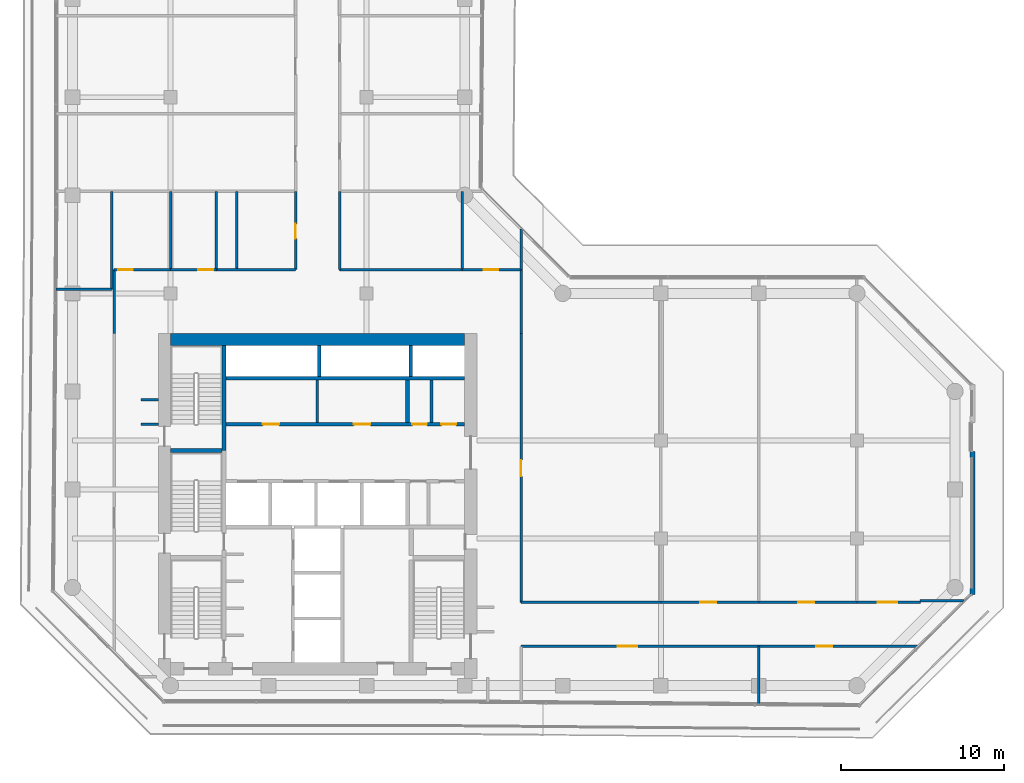
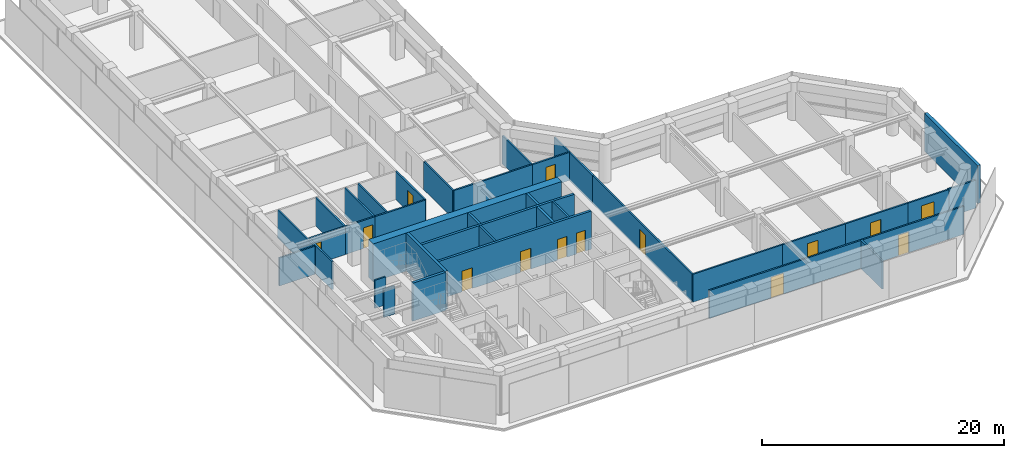
# One storey, part 19 of 23: 38 walls, 14 doors, 14 openings.
"""IFC4 building model written with IfcOpenShell, lengths in metres."""

import ifcopenshell
import ifcopenshell.guid

model = None  # the IFC model being written
_history = None  # IfcOwnerHistory: only IFC2X3 demands one
_inside = {}  # id of a spatial element -> (the spatial element, [elements in it])
_under = {}  # id of a project, library or spatial element -> (it, [spatial elements below it])
_declared = {}  # id of a project -> (the project, [libraries it declares])
_typed = {}  # id of a type object -> (the type object, [elements of that type])
_made_of = {}  # id of a material, layer set ... -> (it, [elements and type objects made of it])


def new_model(schema):
    """Start an empty IFC model of exactly this schema.

    Asked for "IFC4X3", IfcOpenShell would pick the latest addendum, in which some entities
    have other attributes; the version numbers below select the first issue.
    IFC2X3 requires an IfcOwnerHistory on every rooted entity: one is made here for all.
    """
    global model, _history
    if schema == "IFC4X3":
        model = ifcopenshell.file(schema_version=(4, 3, 0, 0))
    else:
        model = ifcopenshell.file(schema=schema)
    _inside.clear()
    _under.clear()
    _declared.clear()
    _typed.clear()
    _made_of.clear()
    _history = None
    if model.schema == "IFC2X3":
        org = make("IfcOrganization", Name="unknown")
        user = make(
            "IfcPersonAndOrganization",
            ThePerson=make("IfcPerson", FamilyName="unknown"),
            TheOrganization=org,
        )
        app = make(
            "IfcApplication",
            ApplicationDeveloper=org,
            Version="unknown",
            ApplicationFullName="unknown",
            ApplicationIdentifier="unknown",
        )
        _history = make(
            "IfcOwnerHistory",
            OwningUser=user,
            OwningApplication=app,
            ChangeAction="ADDED",
            CreationDate=0,
        )
    return model


def make(cls, **values):
    """One entity of the class cls with the attributes given. An attribute that is None is left unset."""
    return model.create_entity(
        cls, **{name: value for name, value in values.items() if value is not None}
    )


def rooted(cls, **values):
    """An entity with a GlobalId (a new one), such as an element, a storey or a relation."""
    return make(cls, GlobalId=ifcopenshell.guid.new(), OwnerHistory=_history, **values)


def si_unit(unit_type, name, prefix=None):
    """IfcSIUnit, for example si_unit("LENGTHUNIT", "METRE", prefix="MILLI")."""
    return make("IfcSIUnit", UnitType=unit_type, Prefix=prefix, Name=name)


def assignment(units):
    """IfcUnitAssignment: the units of a project."""
    return None if units is None else make("IfcUnitAssignment", Units=units)


def point(xyz):
    """IfcCartesianPoint."""
    return None if xyz is None else make("IfcCartesianPoint", Coordinates=xyz)


def direction(xyz):
    """IfcDirection."""
    return None if xyz is None else make("IfcDirection", DirectionRatios=xyz)


def frame(location, z_axis=None, x_axis=None):
    """IfcAxis2Placement3D, a coordinate frame: its origin and axes. An axis left out is left unset."""
    return make(
        "IfcAxis2Placement3D",
        Location=point(location),
        Axis=direction(z_axis),
        RefDirection=direction(x_axis),
    )


def frame_2d(location, x_axis=None):
    """IfcAxis2Placement2D, a coordinate frame in the plane: its origin and x axis."""
    return make(
        "IfcAxis2Placement2D", Location=point(location), RefDirection=direction(x_axis)
    )


def origin():
    """The frame at (0, 0, 0) with its axes left unset."""
    return frame((0.0, 0.0, 0.0))


def place(relative_to, where):
    """IfcLocalPlacement: puts the frame where relative to a parent placement (None: the world)."""
    return make(
        "IfcLocalPlacement", PlacementRelTo=relative_to, RelativePlacement=where
    )


def context(
    kind, dimensions, precision=None, world=None, true_north=None, identifier=None
):
    """IfcGeometricRepresentationContext, for example the 3D "Model" context."""
    return make(
        "IfcGeometricRepresentationContext",
        ContextIdentifier=identifier,
        ContextType=kind,
        CoordinateSpaceDimension=dimensions,
        Precision=precision,
        WorldCoordinateSystem=world,
        TrueNorth=true_north,
    )


def subcontext(parent, identifier, kind, view, scale=None):
    """IfcGeometricRepresentationSubContext, for example "Body" below "Model"."""
    return make(
        "IfcGeometricRepresentationSubContext",
        ContextIdentifier=identifier,
        ContextType=kind,
        ParentContext=parent,
        TargetScale=scale,
        TargetView=view,
    )


def project(units=None, contexts=None):
    """IfcProject with its units and contexts."""
    return rooted(
        "IfcProject",
        Name="project",
        RepresentationContexts=contexts,
        UnitsInContext=assignment(units),
    )


def spatial(cls, under=None, at=None, **own):
    """A site, building, storey or space (cls), placed at a placement, below another one or the project."""
    s = rooted(cls, ObjectPlacement=at, **own)
    if under is not None:
        _under.setdefault(under.id(), (under, []))[1].append(s)
    return s


def profile(cls, at=None, kind="AREA", **sizes):
    """A parametric profile (cls). Its sizes go by their IFC names, for example OverallWidth=200.0."""
    return make(cls, ProfileType=kind, Position=at, **sizes)


def rectangle(**sizes):
    """IfcRectangleProfileDef."""
    return profile("IfcRectangleProfileDef", **sizes)


def extrude(swept, where, along, depth):
    """IfcExtrudedAreaSolid: the profile swept, set in the frame where, extruded along a direction by depth."""
    return make(
        "IfcExtrudedAreaSolid",
        SweptArea=swept,
        Position=where,
        ExtrudedDirection=direction(along),
        Depth=depth,
    )


def shape(context_of_items, identifier, shape_type, items):
    """IfcShapeRepresentation: the items that make up one representation, for example the "Body"."""
    return make(
        "IfcShapeRepresentation",
        ContextOfItems=context_of_items,
        RepresentationIdentifier=identifier,
        RepresentationType=shape_type,
        Items=items,
    )


def material(Name=None, Category=None):
    """IfcMaterial."""
    return make("IfcMaterial", Name=Name, Category=Category)


def layer(
    of_material, thickness, ventilated=None, Name=None, Category=None, Priority=None
):
    """IfcMaterialLayer: one layer of a wall or slab, of a material (None: an air gap)."""
    return make(
        "IfcMaterialLayer",
        Material=of_material,
        LayerThickness=thickness,
        IsVentilated=ventilated,
        Name=Name,
        Category=Category,
        Priority=Priority,
    )


def layer_set(layers, Name=None):
    """IfcMaterialLayerSet."""
    return make("IfcMaterialLayerSet", MaterialLayers=layers, LayerSetName=Name)


def made_of(thing, what):
    """Note that an element or type object is made of a material, layer set ...; save() writes the relation."""
    if what is not None:
        _made_of.setdefault(what.id(), (what, []))[1].append(thing)
    return thing


def type_object(cls, material=None, **own):
    """A type object (cls), such as IfcWallType, which elements share."""
    return made_of(rooted(cls, **own), material)


def element(
    cls,
    number,
    at=None,
    inside=None,
    cuts=None,
    type_object=None,
    material=None,
    context=None,
    identifier="Body",
    shape_type=None,
    held_by="IfcProductDefinitionShape",
    body=None,
    shapes=None,
    **own,
):
    """One element of the class cls, such as IfcWall. Its Tag is "e" and its number.

    at: its placement. inside: the storey or other place that contains it. cuts: it is an
    opening in that element (IfcRelVoidsElement). A single representation is given by context,
    identifier, shape_type and body (its items); several are given by shapes. held_by: the class
    of the entity that holds the representations. save() writes the other relations.
    """
    e = rooted(cls, Tag="e%d" % number, ObjectPlacement=at, **own)
    if body is not None:
        shapes = [shape(context, identifier, shape_type, body)]
    if shapes is not None:
        e.Representation = make(held_by, Representations=shapes)
    if inside is not None:
        _inside.setdefault(inside.id(), (inside, []))[1].append(e)
    if cuts is not None:
        rooted(
            "IfcRelVoidsElement", RelatingBuildingElement=cuts, RelatedOpeningElement=e
        )
    if type_object is not None:
        _typed.setdefault(type_object.id(), (type_object, []))[1].append(e)
    return made_of(e, material)


def fill(opening, filler):
    """IfcRelFillsElement: the door or window that sits in an opening."""
    return rooted(
        "IfcRelFillsElement",
        RelatingOpeningElement=opening,
        RelatedBuildingElement=filler,
    )


def aggregate(whole, parts):
    """IfcRelAggregates: a whole, such as a stair, and the parts it consists of."""
    return rooted("IfcRelAggregates", RelatingObject=whole, RelatedObjects=parts)


def save(model, path):
    """Write the relations noted so far, then the file.

    IfcRelAggregates (storeys below a building ...), IfcRelContainedInSpatialStructure (elements
    in a storey), IfcRelDefinesByType, IfcRelAssociatesMaterial and IfcRelDeclares: one each for
    every whole, place, type object, material and project.
    """
    for whole, parts in _under.values():
        aggregate(whole, parts)
    for where, things in _inside.values():
        rooted(
            "IfcRelContainedInSpatialStructure",
            RelatedElements=things,
            RelatingStructure=where,
        )
    for kind, things in _typed.values():
        rooted("IfcRelDefinesByType", RelatedObjects=things, RelatingType=kind)
    for what, things in _made_of.values():
        rooted("IfcRelAssociatesMaterial", RelatedObjects=things, RelatingMaterial=what)
    for by, libraries in _declared.values():
        rooted("IfcRelDeclares", RelatingContext=by, RelatedDefinitions=libraries)
    model.write(path)


model = new_model("IFC4")

# Units and contexts
model_context = context("Model", 3, precision=1e-05, world=origin(), true_north=direction((0.0, 1.0)))
body_context = subcontext(model_context, "Body", "Model", "MODEL_VIEW")
ifc_project = project(units=[si_unit("LENGTHUNIT", "METRE"), si_unit("AREAUNIT", "SQUARE_METRE"), si_unit("VOLUMEUNIT", "CUBIC_METRE"), si_unit("PLANEANGLEUNIT", "RADIAN"), si_unit("MASSUNIT", "GRAM", prefix="KILO")], contexts=[model_context])

# Site, building, storey
site_placement = place(None, origin())
site = spatial("IfcSite", under=ifc_project, at=site_placement, CompositionType="ELEMENT")
building_placement = place(site_placement, origin())
building = spatial("IfcBuilding", under=site, at=building_placement, Name="Welwitschia Terrace Campus", CompositionType="ELEMENT")
storey_placement = place(building_placement, frame((0.0, 0.0, 113.0)))
storey = spatial("IfcBuildingStorey", under=building, at=storey_placement, Name="L25", CompositionType="ELEMENT", Elevation=113.0)

# Walls
ifc_material_1 = material(Name="Concrete C32/40", Category="concrete")
ifc_layer_1 = layer(ifc_material_1, 0.175048828125)
ifc_layer_set_1 = layer_set([ifc_layer_1], Name="Concrete C32/40")
wall_type_1 = type_object("IfcWallType", Name="Core partition 175 Concrete C32/40", PredefinedType="PARTITIONING", material=ifc_layer_set_1)
for number, where, z_axis, x_axis, name in (
    (1, (14.97509765625, 20.10009765625, 0.0), (0.0, 0.0, 1.0), (0.0, 1.0, 0.0), "Core partition"),
    (2, (21.9599609375, 20.10009765625, 0.0), (0.0, 0.0, 1.0), (0.0, 1.0, 0.0), "Core partition"),
):
    element("IfcWall", number, at=place(storey_placement, frame(where, z_axis=z_axis, x_axis=x_axis)), inside=storey, type_object=wall_type_1, Name=name, PredefinedType="PARTITIONING", context=body_context, shape_type="SweptSolid", body=[
        extrude(rectangle(XDim=2.599853515625, YDim=0.175048828125, at=frame_2d((1.2998046875, 0.0))), origin(), (0.0, 0.0, 1.0), 3.85009765625),
    ])

# Wall, openings, doors
ifc_material_2 = material(Name="Concrete C32/40", Category="concrete")
ifc_layer_2 = layer(ifc_material_2, 0.22509765625)
ifc_layer_set_2 = layer_set([ifc_layer_2], Name="Concrete C32/40")
wall_type_2 = type_object("IfcWallType", Name="Core partition 225 Concrete C32/40", PredefinedType="PARTITIONING", material=ifc_layer_set_2)
wall_1_placement = place(storey_placement, frame((24.0, 20.0, 0.0), z_axis=(0.0, 0.0, 1.0), x_axis=(-1.0, 0.0, 0.0)))
wall_1 = element("IfcWall", 3, at=wall_1_placement, inside=storey, type_object=wall_type_2, Name="Core partition", PredefinedType="PARTITIONING", context=body_context, shape_type="SweptSolid", body=[
    extrude(rectangle(XDim=14.60009765625, YDim=0.22509765625, at=frame_2d((7.300048828125, 0.0))), origin(), (0.0, 0.0, 1.0), 3.85009765625),
])
opening_1_placement = place(wall_1_placement, frame((11.35009765625, 0.0, 0.0)))
opening_1 = element("IfcOpeningElement", 4, at=opening_1_placement, cuts=wall_1, Name="Opening DR10", PredefinedType="OPENING", context=body_context, shape_type="SweptSolid", body=[
    extrude(rectangle(XDim=1.0, YDim=2.10009765625, at=frame_2d((0.5, 1.050048828125))), frame((0.0, 0.12255859375, 0.0), z_axis=(0.0, -1.0, 0.0), x_axis=(1.0, 0.0, 0.0)), (0.0, 0.0, 1.0), 0.2451171875),
])
opening_2_placement = place(wall_1_placement, frame((5.77490234375, 0.0, 0.0)))
opening_2 = element("IfcOpeningElement", 5, at=opening_2_placement, cuts=wall_1, Name="Opening DR10", PredefinedType="OPENING", context=body_context, shape_type="SweptSolid", body=[
    extrude(rectangle(XDim=1.0, YDim=2.10009765625, at=frame_2d((0.5, 1.050048828125))), frame((0.0, 0.12255859375, 0.0), z_axis=(0.0, -1.0, 0.0), x_axis=(1.0, 0.0, 0.0)), (0.0, 0.0, 1.0), 0.2451171875),
])
opening_3_placement = place(wall_1_placement, frame((2.3076171875, 0.0, 0.0)))
opening_3 = element("IfcOpeningElement", 6, at=opening_3_placement, cuts=wall_1, Name="Opening DR09", PredefinedType="OPENING", context=body_context, shape_type="SweptSolid", body=[
    extrude(rectangle(XDim=0.89990234375, YDim=2.10009765625, at=frame_2d((0.449951171875, 1.050048828125))), frame((0.0, 0.12255859375, 0.0), z_axis=(0.0, -1.0, 0.0), x_axis=(1.0, 0.0, 0.0)), (0.0, 0.0, 1.0), 0.2451171875),
])
opening_4_placement = place(wall_1_placement, frame((0.532470703125, 0.0, 0.0)))
opening_4 = element("IfcOpeningElement", 7, at=opening_4_placement, cuts=wall_1, Name="Opening DR09", PredefinedType="OPENING", context=body_context, shape_type="SweptSolid", body=[
    extrude(rectangle(XDim=0.89990234375, YDim=2.10009765625, at=frame_2d((0.449951171875, 1.050048828125))), frame((0.0, 0.12255859375, 0.0), z_axis=(0.0, -1.0, 0.0), x_axis=(1.0, 0.0, 0.0)), (0.0, 0.0, 1.0), 0.2451171875),
])
ifc_material_3 = material(Name="Steel S275", Category="steel")
door_type_1 = type_object("IfcDoorType", Name="Core door DR09", OperationType="SINGLE_SWING_LEFT", PredefinedType="DOOR", material=ifc_material_3)
door_1_placement = place(opening_3_placement, origin())
door_1 = element("IfcDoor", 8, at=door_1_placement, inside=storey, type_object=door_type_1, Name="Door EH1-D", OperationType="SINGLE_SWING_LEFT", OverallHeight=2.10009765625, OverallWidth=0.89990234375, PredefinedType="DOOR", context=body_context, shape_type="SweptSolid", body=[
    extrude(rectangle(XDim=0.89990234375, YDim=2.10009765625, at=frame_2d((0.449951171875, 1.050048828125))), frame((0.0, 0.02490234375, 0.0), z_axis=(0.0, -1.0, 0.0), x_axis=(1.0, 0.0, 0.0)), (0.0, 0.0, 1.0), 0.050048828125),
])
fill(opening_3, door_1)
door_2_placement = place(opening_4_placement, origin())
door_2 = element("IfcDoor", 9, at=door_2_placement, inside=storey, type_object=door_type_1, Name="Door EH2-D", OperationType="SINGLE_SWING_LEFT", OverallHeight=2.10009765625, OverallWidth=0.89990234375, PredefinedType="DOOR", context=body_context, shape_type="SweptSolid", body=[
    extrude(rectangle(XDim=0.89990234375, YDim=2.10009765625, at=frame_2d((0.449951171875, 1.050048828125))), frame((0.0, 0.02490234375, 0.0), z_axis=(0.0, -1.0, 0.0), x_axis=(1.0, 0.0, 0.0)), (0.0, 0.0, 1.0), 0.050048828125),
])
fill(opening_4, door_2)
ifc_material_4 = material(Name="Steel S275", Category="steel")
door_type_2 = type_object("IfcDoorType", Name="Core door DR10", OperationType="SINGLE_SWING_LEFT", PredefinedType="DOOR", material=ifc_material_4)
door_3_placement = place(opening_1_placement, origin())
door_3 = element("IfcDoor", 10, at=door_3_placement, inside=storey, type_object=door_type_2, Name="Door BAYH1-D", OperationType="SINGLE_SWING_RIGHT", OverallHeight=2.10009765625, OverallWidth=1.0, PredefinedType="DOOR", context=body_context, shape_type="SweptSolid", body=[
    extrude(rectangle(XDim=1.0, YDim=2.10009765625, at=frame_2d((0.5, 1.050048828125))), frame((0.0, 0.02490234375, 0.0), z_axis=(0.0, -1.0, 0.0), x_axis=(1.0, 0.0, 0.0)), (0.0, 0.0, 1.0), 0.050048828125),
])
fill(opening_1, door_3)
door_4_placement = place(opening_2_placement, origin())
door_4 = element("IfcDoor", 11, at=door_4_placement, inside=storey, type_object=door_type_2, Name="Door BAYH2-D", OperationType="SINGLE_SWING_LEFT", OverallHeight=2.10009765625, OverallWidth=1.0, PredefinedType="DOOR", context=body_context, shape_type="SweptSolid", body=[
    extrude(rectangle(XDim=1.0, YDim=2.10009765625, at=frame_2d((0.5, 1.050048828125))), frame((0.0, 0.02490234375, 0.0), z_axis=(0.0, -1.0, 0.0), x_axis=(1.0, 0.0, 0.0)), (0.0, 0.0, 1.0), 0.050048828125),
])
fill(opening_2, door_4)

# Walls
wall_2_placement = place(storey_placement, frame((9.39990234375, 22.800048828125, 0.0), z_axis=(0.0, 0.0, 1.0), x_axis=(1.0, 0.0, 0.0)))
element("IfcWall", 12, at=wall_2_placement, inside=storey, type_object=wall_type_2, Name="Shaft wall", PredefinedType="PARTITIONING", context=body_context, shape_type="SweptSolid", body=[
    extrude(rectangle(XDim=14.60009765625, YDim=0.22509765625, at=frame_2d((7.300048828125, 0.0))), origin(), (0.0, 0.0, 1.0), 3.85009765625),
])
wall_3_placement = place(storey_placement, frame((20.5, 20.10009765625, 0.0), z_axis=(0.0, 0.0, 1.0), x_axis=(0.0, 1.0, 0.0)))
element("IfcWall", 13, at=wall_3_placement, inside=storey, type_object=wall_type_2, Name="Core partition", PredefinedType="PARTITIONING", context=body_context, shape_type="SweptSolid", body=[
    extrude(rectangle(XDim=2.599853515625, YDim=0.22509765625, at=frame_2d((1.2998046875, 0.0))), origin(), (0.0, 0.0, 1.0), 3.85009765625),
])
ifc_material_5 = material(Name="Concrete C50/60", Category="concrete")
ifc_layer_3 = layer(ifc_material_5, 0.199951171875)
ifc_layer_set_3 = layer_set([ifc_layer_3], Name="Concrete C50/60")
wall_type_3 = type_object("IfcWallType", Name="Core wall 200 Concrete C50/60", PredefinedType="SHEAR", material=ifc_layer_set_3)
for number, where, z_axis, x_axis, name in (
    (14, (15.10009765625, 22.89990234375, 0.0), (0.0, 0.0, 1.0), (0.0, 1.0, 0.0), "Core wall"),
    (15, (20.699951171875, 22.89990234375, 0.0), (0.0, 0.0, 1.0), (0.0, 1.0, 0.0), "Core wall"),
):
    element("IfcWall", number, at=place(storey_placement, frame(where, z_axis=z_axis, x_axis=x_axis)), inside=storey, type_object=wall_type_3, Name=name, PredefinedType="SHEAR", context=body_context, shape_type="SweptSolid", body=[
        extrude(rectangle(XDim=1.900146484375, YDim=0.199951171875, at=frame_2d((0.9501953125, 0.0))), origin(), (0.0, 0.0, 1.0), 3.85009765625),
    ])
ifc_material_6 = material(Name="Concrete C50/60", Category="concrete")
ifc_layer_4 = layer(ifc_material_6, 0.25)
ifc_layer_set_4 = layer_set([ifc_layer_4], Name="Concrete C50/60")
wall_type_4 = type_object("IfcWallType", Name="Core wall 250 Concrete C50/60", PredefinedType="SHEAR", material=ifc_layer_set_4)
wall_4_placement = place(storey_placement, frame((6.0, 18.375, 0.0), z_axis=(0.0, 0.0, 1.0), x_axis=(1.0, 0.0, 0.0)))
element("IfcWall", 16, at=wall_4_placement, inside=storey, type_object=wall_type_4, Name="Core wall", PredefinedType="SHEAR", context=body_context, shape_type="SweptSolid", body=[
    extrude(rectangle(XDim=3.14990234375, YDim=0.25, at=frame_2d((1.574951171875, 0.0))), origin(), (0.0, 0.0, 1.0), 3.85009765625),
])
wall_5_placement = place(storey_placement, frame((9.27490234375, 18.375, 0.0), z_axis=(0.0, 0.0, 1.0), x_axis=(0.0, 1.0, 0.0)))
element("IfcWall", 17, at=wall_5_placement, inside=storey, type_object=wall_type_4, Name="Core wall", PredefinedType="SHEAR", context=body_context, shape_type="SweptSolid", body=[
    extrude(rectangle(XDim=6.425048828125, YDim=0.25, at=frame_2d((3.21240234375, 0.0))), origin(), (0.0, 0.0, 1.0), 3.85009765625),
])
ifc_material_7 = material(Name="Concrete C70/85", Category="concrete")
ifc_layer_5 = layer(ifc_material_7, 0.75)
ifc_layer_set_5 = layer_set([ifc_layer_5], Name="Concrete C70/85")
wall_type_5 = type_object("IfcWallType", Name="Core wall 750 Concrete C70/85", PredefinedType="SHEAR", material=ifc_layer_set_5)
wall_6_placement = place(storey_placement, frame((6.0, 25.175048828125, 0.0), z_axis=(0.0, 0.0, 1.0), x_axis=(1.0, 0.0, 0.0)))
element("IfcWall", 18, at=wall_6_placement, inside=storey, type_object=wall_type_5, Name="Core outer wall", PredefinedType="SHEAR", context=body_context, shape_type="SweptSolid", body=[
    extrude(rectangle(XDim=18.0, YDim=0.75, at=frame_2d((9.0, 0.0))), origin(), (0.0, 0.0, 1.0), 3.85009765625),
])
ifc_material_8 = material(Name="Gypsum board on steel studs", Category="steel")
ifc_layer_6 = layer(ifc_material_8, 0.14990234375)
ifc_layer_set_6 = layer_set([ifc_layer_6], Name="Gypsum board on steel studs")
wall_type_6 = type_object("IfcWallType", Name="Corridor partition 150 EI 30", PredefinedType="PARTITIONING", material=ifc_layer_set_6)
wall_7_placement = place(storey_placement, frame((-1.02001953125, 28.25, 0.0), z_axis=(0.0, 0.0, 1.0), x_axis=(1.0, 0.0, 0.0)))
element("IfcWall", 19, at=wall_7_placement, inside=storey, type_object=wall_type_6, Name="Partition", PredefinedType="PARTITIONING", context=body_context, shape_type="SweptSolid", body=[
    extrude(rectangle(XDim=3.419921875, YDim=0.14990234375, at=frame_2d((1.7099609375, 0.0))), origin(), (0.0, 0.0, 1.0), 2.830078125),
])
wall_8_placement = place(storey_placement, frame((2.39990234375, 28.25, 0.0), z_axis=(0.0, 0.0, 1.0), x_axis=(0.0, 1.0, 0.0)))
element("IfcWall", 20, at=wall_8_placement, inside=storey, type_object=wall_type_6, Name="Partition", PredefinedType="PARTITIONING", context=body_context, shape_type="SweptSolid", body=[
    extrude(rectangle(XDim=6.0, YDim=0.14990234375, at=frame_2d((3.0, 0.0))), origin(), (0.0, 0.0, 1.0), 2.830078125),
])
wall_9_placement = place(storey_placement, frame((2.550048828125, 25.550048828125, 0.0), z_axis=(0.0, 0.0, 1.0), x_axis=(0.0, 1.0, 0.0)))
element("IfcWall", 21, at=wall_9_placement, inside=storey, type_object=wall_type_6, Name="Partition", PredefinedType="PARTITIONING", context=body_context, shape_type="SweptSolid", body=[
    extrude(rectangle(XDim=3.89990234375, YDim=0.14990234375, at=frame_2d((1.949951171875, 0.0))), origin(), (0.0, 0.0, 1.0), 2.830078125),
])

# Wall, opening, door
wall_10_placement = place(storey_placement, frame((2.550048828125, 29.449951171875, 0.0), z_axis=(0.0, 0.0, 1.0), x_axis=(1.0, 0.0, 0.0)))
wall_10 = element("IfcWall", 22, at=wall_10_placement, inside=storey, type_object=wall_type_6, Name="Partition", PredefinedType="PARTITIONING", context=body_context, shape_type="SweptSolid", body=[
    extrude(rectangle(XDim=3.449951171875, YDim=0.14990234375, at=frame_2d((1.72509765625, 0.0))), origin(), (0.0, 0.0, 1.0), 2.830078125),
])
opening_5_placement = place(wall_10_placement, frame((0.25, 0.0, 0.0)))
opening_5 = element("IfcOpeningElement", 23, at=opening_5_placement, cuts=wall_10, Name="Opening DI09", PredefinedType="OPENING", context=body_context, shape_type="SweptSolid", body=[
    extrude(rectangle(XDim=0.89990234375, YDim=2.10009765625, at=frame_2d((0.449951171875, 1.050048828125))), frame((0.0, 0.0849609375, 0.0), z_axis=(0.0, -1.0, 0.0), x_axis=(1.0, 0.0, 0.0)), (0.0, 0.0, 1.0), 0.169921875),
])
ifc_material_9 = material(Name="Timber veneered door", Category="wood")
door_type_3 = type_object("IfcDoorType", Name="Interior door DI09", OperationType="NOTDEFINED", PredefinedType="DOOR", material=ifc_material_9)
door_5_placement = place(opening_5_placement, origin())
door_5 = element("IfcDoor", 24, at=door_5_placement, inside=storey, type_object=door_type_3, Name="Door L25 543", OperationType="SINGLE_SWING_RIGHT", OverallHeight=2.10009765625, OverallWidth=0.89990234375, PredefinedType="DOOR", context=body_context, shape_type="SweptSolid", body=[
    extrude(rectangle(XDim=0.89990234375, YDim=2.10009765625, at=frame_2d((0.449951171875, 1.050048828125))), frame((0.0, 0.02490234375, 0.0), z_axis=(0.0, -1.0, 0.0), x_axis=(1.0, 0.0, 0.0)), (0.0, 0.0, 1.0), 0.050048828125),
])
fill(opening_5, door_5)

# Walls
for number, where, z_axis, x_axis, name in (
    (25, (4.199951171875, 20.0, 0.0), (0.0, 0.0, 1.0), (1.0, 0.0, 0.0), "Partition"),
    (26, (4.199951171875, 21.5, 0.0), (0.0, 0.0, 1.0), (1.0, 0.0, 0.0), "Partition"),
):
    element("IfcWall", number, at=place(storey_placement, frame(where, z_axis=z_axis, x_axis=x_axis)), inside=storey, type_object=wall_type_6, Name=name, PredefinedType="PARTITIONING", context=body_context, shape_type="SweptSolid", body=[
        extrude(rectangle(XDim=1.050048828125, YDim=0.14990234375, at=frame_2d((0.52490234375, 0.0))), origin(), (0.0, 0.0, 1.0), 2.830078125),
    ])
wall_11_placement = place(storey_placement, frame((6.0, 29.449951171875, 0.0), z_axis=(0.0, 0.0, 1.0), x_axis=(0.0, 1.0, 0.0)))
element("IfcWall", 27, at=wall_11_placement, inside=storey, type_object=wall_type_6, Name="Partition", PredefinedType="PARTITIONING", context=body_context, shape_type="SweptSolid", body=[
    extrude(rectangle(XDim=4.800048828125, YDim=0.14990234375, at=frame_2d((2.39990234375, 0.0))), origin(), (0.0, 0.0, 1.0), 2.830078125),
])

# Wall, opening, door
wall_12_placement = place(storey_placement, frame((6.0, 29.449951171875, 0.0), z_axis=(0.0, 0.0, 1.0), x_axis=(1.0, 0.0, 0.0)))
wall_12 = element("IfcWall", 28, at=wall_12_placement, inside=storey, type_object=wall_type_6, Name="Partition", PredefinedType="PARTITIONING", context=body_context, shape_type="SweptSolid", body=[
    extrude(rectangle(XDim=2.800048828125, YDim=0.14990234375, at=frame_2d((1.39990234375, 0.0))), origin(), (0.0, 0.0, 1.0), 2.830078125),
])
opening_6_placement = place(wall_12_placement, frame((1.699951171875, 0.0, 0.0)))
opening_6 = element("IfcOpeningElement", 29, at=opening_6_placement, cuts=wall_12, Name="Opening DI09", PredefinedType="OPENING", context=body_context, shape_type="SweptSolid", body=[
    extrude(rectangle(XDim=0.89990234375, YDim=2.10009765625, at=frame_2d((0.449951171875, 1.050048828125))), frame((0.0, 0.0849609375, 0.0), z_axis=(0.0, -1.0, 0.0), x_axis=(1.0, 0.0, 0.0)), (0.0, 0.0, 1.0), 0.169921875),
])
door_6_placement = place(opening_6_placement, origin())
door_6 = element("IfcDoor", 30, at=door_6_placement, inside=storey, type_object=door_type_3, Name="Door L25 544", OperationType="SINGLE_SWING_LEFT", OverallHeight=2.10009765625, OverallWidth=0.89990234375, PredefinedType="DOOR", context=body_context, shape_type="SweptSolid", body=[
    extrude(rectangle(XDim=0.89990234375, YDim=2.10009765625, at=frame_2d((0.449951171875, 1.050048828125))), frame((0.0, 0.02490234375, 0.0), z_axis=(0.0, -1.0, 0.0), x_axis=(1.0, 0.0, 0.0)), (0.0, 0.0, 1.0), 0.050048828125),
])
fill(opening_6, door_6)

# Walls
wall_13_placement = place(storey_placement, frame((8.800048828125, 29.449951171875, 0.0), z_axis=(0.0, 0.0, 1.0), x_axis=(0.0, 1.0, 0.0)))
element("IfcWall", 31, at=wall_13_placement, inside=storey, type_object=wall_type_6, Name="Partition", PredefinedType="PARTITIONING", context=body_context, shape_type="SweptSolid", body=[
    extrude(rectangle(XDim=4.800048828125, YDim=0.14990234375, at=frame_2d((2.39990234375, 0.0))), origin(), (0.0, 0.0, 1.0), 2.830078125),
])
wall_14_placement = place(storey_placement, frame((8.800048828125, 29.449951171875, 0.0), z_axis=(0.0, 0.0, 1.0), x_axis=(1.0, 0.0, 0.0)))
element("IfcWall", 32, at=wall_14_placement, inside=storey, type_object=wall_type_6, Name="Partition", PredefinedType="PARTITIONING", context=body_context, shape_type="SweptSolid", body=[
    extrude(rectangle(XDim=4.849853515625, YDim=0.14990234375, at=frame_2d((2.4248046875, 0.0))), origin(), (0.0, 0.0, 1.0), 2.830078125),
])
wall_15_placement = place(storey_placement, frame((10.050048828125, 29.449951171875, 0.0), z_axis=(0.0, 0.0, 1.0), x_axis=(0.0, 1.0, 0.0)))
element("IfcWall", 33, at=wall_15_placement, inside=storey, type_object=wall_type_6, Name="Partition", PredefinedType="PARTITIONING", context=body_context, shape_type="SweptSolid", body=[
    extrude(rectangle(XDim=4.800048828125, YDim=0.14990234375, at=frame_2d((2.39990234375, 0.0))), origin(), (0.0, 0.0, 1.0), 2.830078125),
])

# Wall, opening, door
wall_16_placement = place(storey_placement, frame((13.64990234375, 29.449951171875, 0.0), z_axis=(0.0, 0.0, 1.0), x_axis=(0.0, 1.0, 0.0)))
wall_16 = element("IfcWall", 34, at=wall_16_placement, inside=storey, type_object=wall_type_6, Name="Partition", PredefinedType="PARTITIONING", context=body_context, shape_type="SweptSolid", body=[
    extrude(rectangle(XDim=4.800048828125, YDim=0.14990234375, at=frame_2d((2.39990234375, 0.0))), origin(), (0.0, 0.0, 1.0), 2.830078125),
])
opening_7_placement = place(wall_16_placement, frame((1.89990234375, 0.0, 0.0)))
opening_7 = element("IfcOpeningElement", 35, at=opening_7_placement, cuts=wall_16, Name="Opening DI09", PredefinedType="OPENING", context=body_context, shape_type="SweptSolid", body=[
    extrude(rectangle(XDim=0.89990234375, YDim=2.10009765625, at=frame_2d((0.449951171875, 1.050048828125))), frame((0.0, 0.0849609375, 0.0), z_axis=(0.0, -1.0, 0.0), x_axis=(1.0, 0.0, 0.0)), (0.0, 0.0, 1.0), 0.169921875),
])
door_7_placement = place(opening_7_placement, origin())
door_7 = element("IfcDoor", 36, at=door_7_placement, inside=storey, type_object=door_type_3, Name="Door L25 545", OperationType="SINGLE_SWING_RIGHT", OverallHeight=2.10009765625, OverallWidth=0.89990234375, PredefinedType="DOOR", context=body_context, shape_type="SweptSolid", body=[
    extrude(rectangle(XDim=0.89990234375, YDim=2.10009765625, at=frame_2d((0.449951171875, 1.050048828125))), frame((0.0, 0.02490234375, 0.0), z_axis=(0.0, -1.0, 0.0), x_axis=(1.0, 0.0, 0.0)), (0.0, 0.0, 1.0), 0.050048828125),
])
fill(opening_7, door_7)

# Walls
wall_17_placement = place(storey_placement, frame((16.35009765625, 29.449951171875, 0.0), z_axis=(0.0, 0.0, 1.0), x_axis=(0.0, 1.0, 0.0)))
element("IfcWall", 37, at=wall_17_placement, inside=storey, type_object=wall_type_6, Name="Partition", PredefinedType="PARTITIONING", context=body_context, shape_type="SweptSolid", body=[
    extrude(rectangle(XDim=4.800048828125, YDim=0.14990234375, at=frame_2d((2.39990234375, 0.0))), origin(), (0.0, 0.0, 1.0), 2.830078125),
])
wall_18_placement = place(storey_placement, frame((16.35009765625, 29.449951171875, 0.0), z_axis=(0.0, 0.0, 1.0), x_axis=(1.0, 0.0, 0.0)))
element("IfcWall", 38, at=wall_18_placement, inside=storey, type_object=wall_type_6, Name="Partition", PredefinedType="PARTITIONING", context=body_context, shape_type="SweptSolid", body=[
    extrude(rectangle(XDim=7.5, YDim=0.14990234375, at=frame_2d((3.75, 0.0))), origin(), (0.0, 0.0, 1.0), 2.830078125),
])
wall_19_placement = place(storey_placement, frame((23.85009765625, 29.449951171875, 0.0), z_axis=(0.0, 0.0, 1.0), x_axis=(0.0, 1.0, 0.0)))
element("IfcWall", 39, at=wall_19_placement, inside=storey, type_object=wall_type_6, Name="Partition", PredefinedType="PARTITIONING", context=body_context, shape_type="SweptSolid", body=[
    extrude(rectangle(XDim=4.800048828125, YDim=0.14990234375, at=frame_2d((2.39990234375, 0.0))), origin(), (0.0, 0.0, 1.0), 2.830078125),
])

# Wall, opening, door
wall_20_placement = place(storey_placement, frame((23.85009765625, 29.449951171875, 0.0), z_axis=(0.0, 0.0, 1.0), x_axis=(1.0, 0.0, 0.0)))
wall_20 = element("IfcWall", 40, at=wall_20_placement, inside=storey, type_object=wall_type_6, Name="Partition", PredefinedType="PARTITIONING", context=body_context, shape_type="SweptSolid", body=[
    extrude(rectangle(XDim=3.599853515625, YDim=0.14990234375, at=frame_2d((1.7998046875, 0.0))), origin(), (0.0, 0.0, 1.0), 2.830078125),
])
opening_8_placement = place(wall_20_placement, frame((1.300048828125, 0.0, 0.0)))
opening_8 = element("IfcOpeningElement", 41, at=opening_8_placement, cuts=wall_20, Name="Opening DI09", PredefinedType="OPENING", context=body_context, shape_type="SweptSolid", body=[
    extrude(rectangle(XDim=0.89990234375, YDim=2.10009765625, at=frame_2d((0.449951171875, 1.050048828125))), frame((0.0, 0.0849609375, 0.0), z_axis=(0.0, -1.0, 0.0), x_axis=(1.0, 0.0, 0.0)), (0.0, 0.0, 1.0), 0.169921875),
])
door_8_placement = place(opening_8_placement, origin())
door_8 = element("IfcDoor", 42, at=door_8_placement, inside=storey, type_object=door_type_3, Name="Door L25 555", OperationType="SINGLE_SWING_RIGHT", OverallHeight=2.10009765625, OverallWidth=0.89990234375, PredefinedType="DOOR", context=body_context, shape_type="SweptSolid", body=[
    extrude(rectangle(XDim=0.89990234375, YDim=2.10009765625, at=frame_2d((0.449951171875, 1.050048828125))), frame((0.0, 0.02490234375, 0.0), z_axis=(0.0, -1.0, 0.0), x_axis=(1.0, 0.0, 0.0)), (0.0, 0.0, 1.0), 0.050048828125),
])
fill(opening_8, door_8)

# Wall
wall_21_placement = place(storey_placement, frame((27.449951171875, 9.10009765625, 0.0), z_axis=(0.0, 0.0, 1.0), x_axis=(1.0, 0.0, 0.0)))
element("IfcWall", 43, at=wall_21_placement, inside=storey, type_object=wall_type_6, Name="Partition", PredefinedType="PARTITIONING", context=body_context, shape_type="SweptSolid", body=[
    extrude(rectangle(XDim=8.550048828125, YDim=0.14990234375, at=frame_2d((4.27490234375, 0.0))), origin(), (0.0, 0.0, 1.0), 2.830078125),
])

# Wall, opening, door
wall_22_placement = place(storey_placement, frame((27.449951171875, 25.550048828125, 0.0), z_axis=(0.0, 0.0, 1.0), x_axis=(0.0, -1.0, 0.0)))
wall_22 = element("IfcWall", 44, at=wall_22_placement, inside=storey, type_object=wall_type_6, Name="Partition", PredefinedType="PARTITIONING", context=body_context, shape_type="SweptSolid", body=[
    extrude(rectangle(XDim=16.449951171875, YDim=0.14990234375, at=frame_2d((8.22509765625, 0.0))), origin(), (0.0, 0.0, 1.0), 2.830078125),
])
opening_9_placement = place(wall_22_placement, frame((7.75, 0.0, 0.0)))
opening_9 = element("IfcOpeningElement", 45, at=opening_9_placement, cuts=wall_22, Name="Opening DI10", PredefinedType="OPENING", context=body_context, shape_type="SweptSolid", body=[
    extrude(rectangle(XDim=1.0, YDim=2.10009765625, at=frame_2d((0.5, 1.050048828125))), frame((0.0, 0.0849609375, 0.0), z_axis=(0.0, -1.0, 0.0), x_axis=(1.0, 0.0, 0.0)), (0.0, 0.0, 1.0), 0.169921875),
])
ifc_material_10 = material(Name="Timber veneered door", Category="wood")
door_type_4 = type_object("IfcDoorType", Name="Interior door DI10", OperationType="NOTDEFINED", PredefinedType="DOOR", material=ifc_material_10)
door_9_placement = place(opening_9_placement, origin())
door_9 = element("IfcDoor", 46, at=door_9_placement, inside=storey, type_object=door_type_4, Name="Door L25 556", OperationType="SINGLE_SWING_LEFT", OverallHeight=2.10009765625, OverallWidth=1.0, PredefinedType="DOOR", context=body_context, shape_type="SweptSolid", body=[
    extrude(rectangle(XDim=1.0, YDim=2.10009765625, at=frame_2d((0.5, 1.050048828125))), frame((0.0, 0.02490234375, 0.0), z_axis=(0.0, -1.0, 0.0), x_axis=(1.0, 0.0, 0.0)), (0.0, 0.0, 1.0), 0.050048828125),
])
fill(opening_9, door_9)

# Walls
wall_23_placement = place(storey_placement, frame((27.449951171875, 25.550048828125, 0.0), z_axis=(0.0, 0.0, 1.0), x_axis=(0.0, 1.0, 0.0)))
element("IfcWall", 47, at=wall_23_placement, inside=storey, type_object=wall_type_6, Name="Partition", PredefinedType="PARTITIONING", context=body_context, shape_type="SweptSolid", body=[
    extrude(rectangle(XDim=3.89990234375, YDim=0.14990234375, at=frame_2d((1.949951171875, 0.0))), origin(), (0.0, 0.0, 1.0), 2.830078125),
])
wall_24_placement = place(storey_placement, frame((27.449951171875, 29.449951171875, 0.0), z_axis=(0.0, 0.0, 1.0), x_axis=(0.0, 1.0, 0.0)))
element("IfcWall", 48, at=wall_24_placement, inside=storey, type_object=wall_type_6, Name="Partition", PredefinedType="PARTITIONING", context=body_context, shape_type="SweptSolid", body=[
    extrude(rectangle(XDim=2.489990234375, YDim=0.14990234375, at=frame_2d((1.2451171875, 0.0))), origin(), (0.0, 0.0, 1.0), 2.830078125),
])

# Wall, opening, door
wall_25_placement = place(storey_placement, frame((36.0, 9.10009765625, 0.0), z_axis=(0.0, 0.0, 1.0), x_axis=(1.0, 0.0, 0.0)))
wall_25 = element("IfcWall", 49, at=wall_25_placement, inside=storey, type_object=wall_type_6, Name="Partition", PredefinedType="PARTITIONING", context=body_context, shape_type="SweptSolid", body=[
    extrude(rectangle(XDim=6.0, YDim=0.14990234375, at=frame_2d((3.0, 0.0))), origin(), (0.0, 0.0, 1.0), 2.830078125),
])
opening_10_placement = place(wall_25_placement, frame((2.39990234375, 0.0, 0.0)))
opening_10 = element("IfcOpeningElement", 50, at=opening_10_placement, cuts=wall_25, Name="Opening DI10", PredefinedType="OPENING", context=body_context, shape_type="SweptSolid", body=[
    extrude(rectangle(XDim=1.0, YDim=2.10009765625, at=frame_2d((0.5, 1.050048828125))), frame((0.0, 0.0849609375, 0.0), z_axis=(0.0, -1.0, 0.0), x_axis=(1.0, 0.0, 0.0)), (0.0, 0.0, 1.0), 0.169921875),
])
door_10_placement = place(opening_10_placement, origin())
door_10 = element("IfcDoor", 51, at=door_10_placement, inside=storey, type_object=door_type_4, Name="Door L25 557", OperationType="SINGLE_SWING_RIGHT", OverallHeight=2.10009765625, OverallWidth=1.0, PredefinedType="DOOR", context=body_context, shape_type="SweptSolid", body=[
    extrude(rectangle(XDim=1.0, YDim=2.10009765625, at=frame_2d((0.5, 1.050048828125))), frame((0.0, 0.02490234375, 0.0), z_axis=(0.0, -1.0, 0.0), x_axis=(1.0, 0.0, 0.0)), (0.0, 0.0, 1.0), 0.050048828125),
])
fill(opening_10, door_10)

# Wall
wall_26_placement = place(storey_placement, frame((42.0, 2.85009765625, 0.0), z_axis=(0.0, 0.0, 1.0), x_axis=(0.0, 1.0, 0.0)))
element("IfcWall", 52, at=wall_26_placement, inside=storey, type_object=wall_type_6, Name="Partition", PredefinedType="PARTITIONING", context=body_context, shape_type="SweptSolid", body=[
    extrude(rectangle(XDim=3.5498046875, YDim=0.14990234375, at=frame_2d((1.77490234375, 0.0))), origin(), (0.0, 0.0, 1.0), 2.830078125),
])

# Wall, opening, door
wall_27_placement = place(storey_placement, frame((42.0, 6.39990234375, 0.0), z_axis=(0.0, 0.0, 1.0), x_axis=(-1.0, 0.0, 0.0)))
wall_27 = element("IfcWall", 53, at=wall_27_placement, inside=storey, type_object=wall_type_6, Name="Partition", PredefinedType="PARTITIONING", context=body_context, shape_type="SweptSolid", body=[
    extrude(rectangle(XDim=14.550048828125, YDim=0.14990234375, at=frame_2d((7.27490234375, 0.0))), origin(), (0.0, 0.0, 1.0), 2.830078125),
])
opening_11_placement = place(wall_27_placement, frame((7.449951171875, 0.0, 0.0)))
opening_11 = element("IfcOpeningElement", 54, at=opening_11_placement, cuts=wall_27, Name="Opening DI12", PredefinedType="OPENING", context=body_context, shape_type="SweptSolid", body=[
    extrude(rectangle(XDim=1.199951171875, YDim=2.10009765625, at=frame_2d((0.60009765625, 1.050048828125))), frame((0.0, 0.0849609375, 0.0), z_axis=(0.0, -1.0, 0.0), x_axis=(1.0, 0.0, 0.0)), (0.0, 0.0, 1.0), 0.169921875),
])
ifc_material_11 = material(Name="Timber veneered door", Category="wood")
door_type_5 = type_object("IfcDoorType", Name="Interior door DI12", OperationType="NOTDEFINED", PredefinedType="DOOR", material=ifc_material_11)
door_11_placement = place(opening_11_placement, origin())
door_11 = element("IfcDoor", 55, at=door_11_placement, inside=storey, type_object=door_type_5, Name="Door L25 558", OperationType="SINGLE_SWING_LEFT", OverallHeight=2.10009765625, OverallWidth=1.199951171875, PredefinedType="DOOR", context=body_context, shape_type="SweptSolid", body=[
    extrude(rectangle(XDim=1.199951171875, YDim=2.10009765625, at=frame_2d((0.60009765625, 1.050048828125))), frame((0.0, 0.02490234375, 0.0), z_axis=(0.0, -1.0, 0.0), x_axis=(1.0, 0.0, 0.0)), (0.0, 0.0, 1.0), 0.050048828125),
])
fill(opening_11, door_11)

wall_28_placement = place(storey_placement, frame((42.0, 9.10009765625, 0.0), z_axis=(0.0, 0.0, 1.0), x_axis=(1.0, 0.0, 0.0)))
wall_28 = element("IfcWall", 56, at=wall_28_placement, inside=storey, type_object=wall_type_6, Name="Partition", PredefinedType="PARTITIONING", context=body_context, shape_type="SweptSolid", body=[
    extrude(rectangle(XDim=6.0, YDim=0.14990234375, at=frame_2d((3.0, 0.0))), origin(), (0.0, 0.0, 1.0), 2.830078125),
])
opening_12_placement = place(wall_28_placement, frame((2.39990234375, 0.0, 0.0)))
opening_12 = element("IfcOpeningElement", 57, at=opening_12_placement, cuts=wall_28, Name="Opening DI10", PredefinedType="OPENING", context=body_context, shape_type="SweptSolid", body=[
    extrude(rectangle(XDim=1.0, YDim=2.10009765625, at=frame_2d((0.5, 1.050048828125))), frame((0.0, 0.0849609375, 0.0), z_axis=(0.0, -1.0, 0.0), x_axis=(1.0, 0.0, 0.0)), (0.0, 0.0, 1.0), 0.169921875),
])
door_12_placement = place(opening_12_placement, origin())
door_12 = element("IfcDoor", 58, at=door_12_placement, inside=storey, type_object=door_type_4, Name="Door L25 559", OperationType="SINGLE_SWING_RIGHT", OverallHeight=2.10009765625, OverallWidth=1.0, PredefinedType="DOOR", context=body_context, shape_type="SweptSolid", body=[
    extrude(rectangle(XDim=1.0, YDim=2.10009765625, at=frame_2d((0.5, 1.050048828125))), frame((0.0, 0.02490234375, 0.0), z_axis=(0.0, -1.0, 0.0), x_axis=(1.0, 0.0, 0.0)), (0.0, 0.0, 1.0), 0.050048828125),
])
fill(opening_12, door_12)

wall_29_placement = place(storey_placement, frame((48.0, 9.10009765625, 0.0), z_axis=(0.0, 0.0, 1.0), x_axis=(1.0, 0.0, 0.0)))
wall_29 = element("IfcWall", 59, at=wall_29_placement, inside=storey, type_object=wall_type_6, Name="Partition", PredefinedType="PARTITIONING", context=body_context, shape_type="SweptSolid", body=[
    extrude(rectangle(XDim=3.8798828125, YDim=0.14990234375, at=frame_2d((1.93994140625, 0.0))), origin(), (0.0, 0.0, 1.0), 2.830078125),
])
opening_13_placement = place(wall_29_placement, frame((1.280029296875, 0.0, 0.0)))
opening_13 = element("IfcOpeningElement", 60, at=opening_13_placement, cuts=wall_29, Name="Opening DI12", PredefinedType="OPENING", context=body_context, shape_type="SweptSolid", body=[
    extrude(rectangle(XDim=1.199951171875, YDim=2.10009765625, at=frame_2d((0.60009765625, 1.050048828125))), frame((0.0, 0.0849609375, 0.0), z_axis=(0.0, -1.0, 0.0), x_axis=(1.0, 0.0, 0.0)), (0.0, 0.0, 1.0), 0.169921875),
])
door_13_placement = place(opening_13_placement, origin())
door_13 = element("IfcDoor", 61, at=door_13_placement, inside=storey, type_object=door_type_5, Name="Door L25 560", OperationType="SINGLE_SWING_LEFT", OverallHeight=2.10009765625, OverallWidth=1.199951171875, PredefinedType="DOOR", context=body_context, shape_type="SweptSolid", body=[
    extrude(rectangle(XDim=1.199951171875, YDim=2.10009765625, at=frame_2d((0.60009765625, 1.050048828125))), frame((0.0, 0.02490234375, 0.0), z_axis=(0.0, -1.0, 0.0), x_axis=(1.0, 0.0, 0.0)), (0.0, 0.0, 1.0), 0.050048828125),
])
fill(opening_13, door_13)

wall_30_placement = place(storey_placement, frame((51.77001953125, 6.39990234375, 0.0), z_axis=(0.0, 0.0, 1.0), x_axis=(-1.0, 0.0, 0.0)))
wall_30 = element("IfcWall", 62, at=wall_30_placement, inside=storey, type_object=wall_type_6, Name="Partition", PredefinedType="PARTITIONING", context=body_context, shape_type="SweptSolid", body=[
    extrude(rectangle(XDim=9.77001953125, YDim=0.14990234375, at=frame_2d((4.885009765625, 0.0))), origin(), (0.0, 0.0, 1.0), 2.830078125),
])
opening_14_placement = place(wall_30_placement, frame((5.27001953125, 0.0, 0.0)))
opening_14 = element("IfcOpeningElement", 63, at=opening_14_placement, cuts=wall_30, Name="Opening DI10", PredefinedType="OPENING", context=body_context, shape_type="SweptSolid", body=[
    extrude(rectangle(XDim=1.0, YDim=2.10009765625, at=frame_2d((0.5, 1.050048828125))), frame((0.0, 0.0849609375, 0.0), z_axis=(0.0, -1.0, 0.0), x_axis=(1.0, 0.0, 0.0)), (0.0, 0.0, 1.0), 0.169921875),
])
door_14_placement = place(opening_14_placement, origin())
door_14 = element("IfcDoor", 64, at=door_14_placement, inside=storey, type_object=door_type_4, Name="Door L25 561", OperationType="SINGLE_SWING_RIGHT", OverallHeight=2.10009765625, OverallWidth=1.0, PredefinedType="DOOR", context=body_context, shape_type="SweptSolid", body=[
    extrude(rectangle(XDim=1.0, YDim=2.10009765625, at=frame_2d((0.5, 1.050048828125))), frame((0.0, 0.02490234375, 0.0), z_axis=(0.0, -1.0, 0.0), x_axis=(1.0, 0.0, 0.0)), (0.0, 0.0, 1.0), 0.050048828125),
])
fill(opening_14, door_14)

# Walls
wall_31_placement = place(storey_placement, frame((51.85009765625, 9.179931640625, 0.0), z_axis=(0.0, 0.0, 1.0), x_axis=(1.0, 0.0, 0.0)))
element("IfcWall", 65, at=wall_31_placement, inside=storey, type_object=wall_type_6, Name="Partition", PredefinedType="PARTITIONING", context=body_context, shape_type="SweptSolid", body=[
    extrude(rectangle(XDim=2.69921875, YDim=0.14990234375, at=frame_2d((1.349609375, 0.0))), origin(), (0.0, 0.0, 1.0), 2.830078125),
])
ifc_material_12 = material(Name="Concrete C40/50", Category="concrete")
ifc_layer_7 = layer(ifc_material_12, 0.300048828125)
ifc_layer_set_7 = layer_set([ifc_layer_7], Name="Concrete C40/50")
wall_type_7 = type_object("IfcWallType", Name="Mass wall 300", PredefinedType="SOLIDWALL", material=ifc_layer_set_7)
wall_32_placement = place(storey_placement, frame((55.07958984375, 9.5732421875, 0.0), z_axis=(0.0, 0.0, 1.0), x_axis=(0.0, 1.0, 0.0)))
element("IfcWall", 66, at=wall_32_placement, inside=storey, type_object=wall_type_7, Name="Mass wall L25.7.0", PredefinedType="SOLIDWALL", context=body_context, shape_type="SweptSolid", body=[
    extrude(rectangle(XDim=8.739990234375, YDim=0.300048828125, at=frame_2d((4.3701171875, 0.0))), origin(), (0.0, 0.0, 1.0), 3.85009765625),
])

save(model, "model.ifc")
